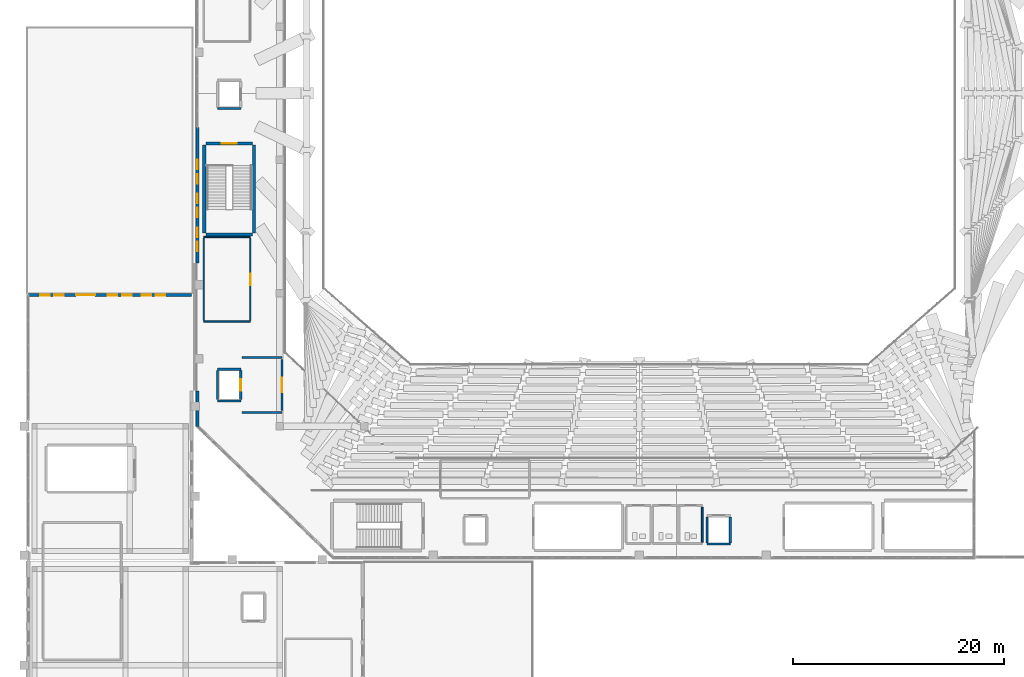
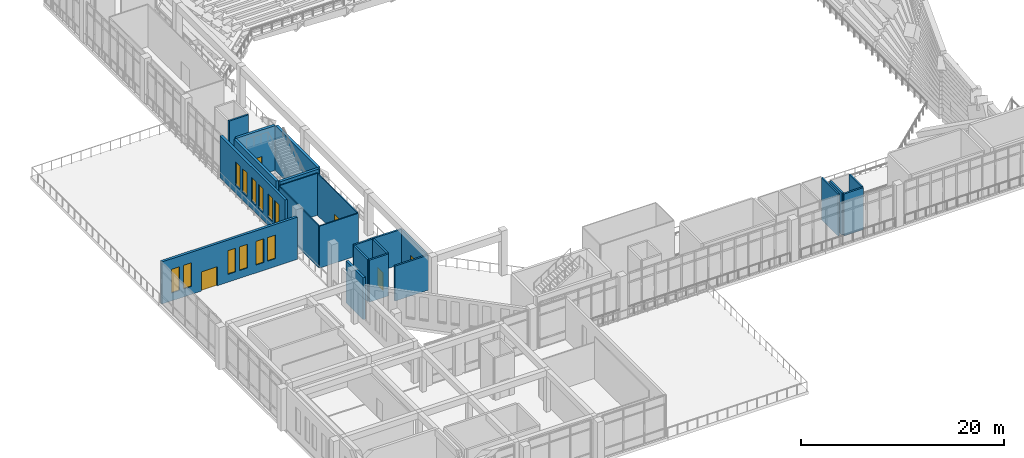
# One storey, part 45 of 55: 23 walls, 12 windows, 5 doors, 17 openings.
"""IFC4 building model written with IfcOpenShell, lengths in metres."""

from ifc_helpers import new_model, si_unit, derived_unit, direction, frame, frame_2d, origin, place, context, subcontext, project, spatial, rectangle, extrude, material, layer, layer_set, type_object, element, fill, save


model = new_model("IFC4")

# Units and contexts
model_context = context("Model", 3, precision=1e-05, world=origin(), true_north=direction((0.0, 1.0)))
body_context = subcontext(model_context, "Body", "Model", "MODEL_VIEW")
ifc_project = project(units=[si_unit("LENGTHUNIT", "METRE"), si_unit("AREAUNIT", "SQUARE_METRE"), si_unit("VOLUMEUNIT", "CUBIC_METRE"), si_unit("PLANEANGLEUNIT", "RADIAN"), si_unit("MASSUNIT", "GRAM", prefix="KILO"), derived_unit("THERMALTRANSMITTANCEUNIT", [(si_unit("MASSUNIT", "GRAM", prefix="KILO"), 1), (si_unit("TIMEUNIT", "SECOND"), -3), (si_unit("THERMODYNAMICTEMPERATUREUNIT", "KELVIN"), -1)])], contexts=[model_context])

# Site, building, storey
site_placement = place(None, origin())
site = spatial("IfcSite", under=ifc_project, at=site_placement, CompositionType="ELEMENT")
building_placement = place(site_placement, origin())
building = spatial("IfcBuilding", under=site, at=building_placement, Name="Valcora Ridge Arena", CompositionType="ELEMENT")
storey_placement = place(building_placement, frame((0.0, 0.0, 21.0)))
storey = spatial("IfcBuildingStorey", under=building, at=storey_placement, Name="L04", CompositionType="ELEMENT", Elevation=21.0)

# Wall
ifc_material_1 = material(Name="Bush-hammered Andean travertine on concrete backup C40/50", Category="masonry")
ifc_layer_1 = layer(ifc_material_1, 0.280029296875, Name="Bush-hammered Andean travertine on concrete backup C40/50")
ifc_layer_set_1 = layer_set([ifc_layer_1], Name="Bush-hammered Andean travertine on concrete backup C40/50")
wall_type_1 = type_object("IfcWallType", Name="TY-WALL-EW-TRV-28-51", PredefinedType="STANDARD", material=ifc_layer_set_1)
wall_1_placement = place(storey_placement, frame((16.199951171875, 32.60009765625, 0.0), z_axis=(0.0, 0.0, 1.0), x_axis=(0.0, 1.0, 0.0)))
element("IfcWall", 1, at=wall_1_placement, inside=storey, type_object=wall_type_1, Name="EW-TRV-28-51 WAL-EW-0059", PredefinedType="STANDARD", context=body_context, shape_type="SweptSolid", body=[
    extrude(rectangle(XDim=3.349853515625, YDim=0.280029296875, at=frame_2d((1.6748046875, 0.0))), origin(), (0.0, 0.0, 1.0), 5.06005859375),
])

# Wall, openings, windows
wall_2_placement = place(storey_placement, frame((16.199951171875, 48.050048828125, 0.0), z_axis=(0.0, 0.0, 1.0), x_axis=(0.0, 1.0, 0.0)))
wall_2 = element("IfcWall", 2, at=wall_2_placement, inside=storey, type_object=wall_type_1, Name="EW-TRV-28-51 WAL-EW-0060", PredefinedType="STANDARD", context=body_context, shape_type="SweptSolid", body=[
    extrude(rectangle(XDim=12.800048828125, YDim=0.280029296875, at=frame_2d((6.39990234375, 0.0))), origin(), (0.0, 0.0, 1.0), 5.06005859375),
])
opening_1_placement = place(wall_2_placement, frame((1.10009765625, 0.0, 0.949951171875)))
opening_1 = element("IfcOpeningElement", 3, at=opening_1_placement, cuts=wall_2, Name="Opening W-GLAN-90X285", PredefinedType="OPENING", context=body_context, shape_type="SweptSolid", body=[
    extrude(rectangle(XDim=0.89990234375, YDim=2.85009765625, at=frame_2d((0.449951171875, 1.425048828125))), frame((0.0, 0.14990234375, 0.0), z_axis=(0.0, -1.0, 0.0), x_axis=(1.0, 0.0, 0.0)), (0.0, 0.0, 1.0), 0.300048828125),
])
opening_2_placement = place(wall_2_placement, frame((2.449951171875, 0.0, 0.949951171875)))
opening_2 = element("IfcOpeningElement", 4, at=opening_2_placement, cuts=wall_2, Name="Opening W-GLAN-90X285", PredefinedType="OPENING", context=body_context, shape_type="SweptSolid", body=[
    extrude(rectangle(XDim=0.89990234375, YDim=2.85009765625, at=frame_2d((0.449951171875, 1.425048828125))), frame((0.0, 0.14990234375, 0.0), z_axis=(0.0, -1.0, 0.0), x_axis=(1.0, 0.0, 0.0)), (0.0, 0.0, 1.0), 0.300048828125),
])
opening_3_placement = place(wall_2_placement, frame((4.300048828125, 0.0, 0.949951171875)))
opening_3 = element("IfcOpeningElement", 5, at=opening_3_placement, cuts=wall_2, Name="Opening W-GLAN-90X285", PredefinedType="OPENING", context=body_context, shape_type="SweptSolid", body=[
    extrude(rectangle(XDim=0.89990234375, YDim=2.85009765625, at=frame_2d((0.449951171875, 1.425048828125))), frame((0.0, 0.14990234375, 0.0), z_axis=(0.0, -1.0, 0.0), x_axis=(1.0, 0.0, 0.0)), (0.0, 0.0, 1.0), 0.300048828125),
])
opening_4_placement = place(wall_2_placement, frame((5.64990234375, 0.0, 0.949951171875)))
opening_4 = element("IfcOpeningElement", 6, at=opening_4_placement, cuts=wall_2, Name="Opening W-GLAN-90X285", PredefinedType="OPENING", context=body_context, shape_type="SweptSolid", body=[
    extrude(rectangle(XDim=0.89990234375, YDim=2.85009765625, at=frame_2d((0.449951171875, 1.425048828125))), frame((0.0, 0.14990234375, 0.0), z_axis=(0.0, -1.0, 0.0), x_axis=(1.0, 0.0, 0.0)), (0.0, 0.0, 1.0), 0.300048828125),
])
opening_5_placement = place(wall_2_placement, frame((7.5, 0.0, 0.949951171875)))
opening_5 = element("IfcOpeningElement", 7, at=opening_5_placement, cuts=wall_2, Name="Opening W-GLAN-90X285", PredefinedType="OPENING", context=body_context, shape_type="SweptSolid", body=[
    extrude(rectangle(XDim=0.89990234375, YDim=2.85009765625, at=frame_2d((0.449951171875, 1.425048828125))), frame((0.0, 0.14990234375, 0.0), z_axis=(0.0, -1.0, 0.0), x_axis=(1.0, 0.0, 0.0)), (0.0, 0.0, 1.0), 0.300048828125),
])
opening_6_placement = place(wall_2_placement, frame((8.85009765625, 0.0, 0.949951171875)))
opening_6 = element("IfcOpeningElement", 8, at=opening_6_placement, cuts=wall_2, Name="Opening W-GLAN-90X285", PredefinedType="OPENING", context=body_context, shape_type="SweptSolid", body=[
    extrude(rectangle(XDim=0.89990234375, YDim=2.85009765625, at=frame_2d((0.449951171875, 1.425048828125))), frame((0.0, 0.14990234375, 0.0), z_axis=(0.0, -1.0, 0.0), x_axis=(1.0, 0.0, 0.0)), (0.0, 0.0, 1.0), 0.300048828125),
])
ifc_material_2 = material(Name="Low-iron solar-control double glazing SHGC 0.28", Category="glass")
window_type = type_object("IfcWindowType", Name="TY-WINDOW-W-GLAN-90X285", PartitioningType="DOUBLE_PANEL_VERTICAL", PredefinedType="WINDOW", material=ifc_material_2)
window_1_placement = place(opening_1_placement, origin())
window_1 = element("IfcWindow", 9, at=window_1_placement, inside=storey, type_object=window_type, Name="W-GLAN-90X285 WIN-EX-0135", OverallHeight=2.85009765625, OverallWidth=0.89990234375, PartitioningType="DOUBLE_PANEL_VERTICAL", PredefinedType="WINDOW", context=body_context, shape_type="SweptSolid", body=[
    extrude(rectangle(XDim=0.89990234375, YDim=2.85009765625, at=frame_2d((0.449951171875, 1.425048828125))), frame((0.0, 0.030029296875, 0.0), z_axis=(0.0, -1.0, 0.0), x_axis=(1.0, 0.0, 0.0)), (0.0, 0.0, 1.0), 0.06005859375),
])
fill(opening_1, window_1)
window_2_placement = place(opening_2_placement, origin())
window_2 = element("IfcWindow", 10, at=window_2_placement, inside=storey, type_object=window_type, Name="W-GLAN-90X285 WIN-EX-0136", OverallHeight=2.85009765625, OverallWidth=0.89990234375, PartitioningType="DOUBLE_PANEL_VERTICAL", PredefinedType="WINDOW", context=body_context, shape_type="SweptSolid", body=[
    extrude(rectangle(XDim=0.89990234375, YDim=2.85009765625, at=frame_2d((0.449951171875, 1.425048828125))), frame((0.0, 0.030029296875, 0.0), z_axis=(0.0, -1.0, 0.0), x_axis=(1.0, 0.0, 0.0)), (0.0, 0.0, 1.0), 0.06005859375),
])
fill(opening_2, window_2)
window_3_placement = place(opening_3_placement, origin())
window_3 = element("IfcWindow", 11, at=window_3_placement, inside=storey, type_object=window_type, Name="W-GLAN-90X285 WIN-EX-0137", OverallHeight=2.85009765625, OverallWidth=0.89990234375, PartitioningType="DOUBLE_PANEL_VERTICAL", PredefinedType="WINDOW", context=body_context, shape_type="SweptSolid", body=[
    extrude(rectangle(XDim=0.89990234375, YDim=2.85009765625, at=frame_2d((0.449951171875, 1.425048828125))), frame((0.0, 0.030029296875, 0.0), z_axis=(0.0, -1.0, 0.0), x_axis=(1.0, 0.0, 0.0)), (0.0, 0.0, 1.0), 0.06005859375),
])
fill(opening_3, window_3)
window_4_placement = place(opening_4_placement, origin())
window_4 = element("IfcWindow", 12, at=window_4_placement, inside=storey, type_object=window_type, Name="W-GLAN-90X285 WIN-EX-0138", OverallHeight=2.85009765625, OverallWidth=0.89990234375, PartitioningType="DOUBLE_PANEL_VERTICAL", PredefinedType="WINDOW", context=body_context, shape_type="SweptSolid", body=[
    extrude(rectangle(XDim=0.89990234375, YDim=2.85009765625, at=frame_2d((0.449951171875, 1.425048828125))), frame((0.0, 0.030029296875, 0.0), z_axis=(0.0, -1.0, 0.0), x_axis=(1.0, 0.0, 0.0)), (0.0, 0.0, 1.0), 0.06005859375),
])
fill(opening_4, window_4)
window_5_placement = place(opening_5_placement, origin())
window_5 = element("IfcWindow", 13, at=window_5_placement, inside=storey, type_object=window_type, Name="W-GLAN-90X285 WIN-EX-0139", OverallHeight=2.85009765625, OverallWidth=0.89990234375, PartitioningType="DOUBLE_PANEL_VERTICAL", PredefinedType="WINDOW", context=body_context, shape_type="SweptSolid", body=[
    extrude(rectangle(XDim=0.89990234375, YDim=2.85009765625, at=frame_2d((0.449951171875, 1.425048828125))), frame((0.0, 0.030029296875, 0.0), z_axis=(0.0, -1.0, 0.0), x_axis=(1.0, 0.0, 0.0)), (0.0, 0.0, 1.0), 0.06005859375),
])
fill(opening_5, window_5)
window_6_placement = place(opening_6_placement, origin())
window_6 = element("IfcWindow", 14, at=window_6_placement, inside=storey, type_object=window_type, Name="W-GLAN-90X285 WIN-EX-0140", OverallHeight=2.85009765625, OverallWidth=0.89990234375, PartitioningType="DOUBLE_PANEL_VERTICAL", PredefinedType="WINDOW", context=body_context, shape_type="SweptSolid", body=[
    extrude(rectangle(XDim=0.89990234375, YDim=2.85009765625, at=frame_2d((0.449951171875, 1.425048828125))), frame((0.0, 0.030029296875, 0.0), z_axis=(0.0, -1.0, 0.0), x_axis=(1.0, 0.0, 0.0)), (0.0, 0.0, 1.0), 0.06005859375),
])
fill(opening_6, window_6)

# Wall, openings, door, windows
wall_3_placement = place(storey_placement, frame((0.219970703125, 45.0, 0.0), z_axis=(0.0, 0.0, 1.0), x_axis=(1.0, 0.0, 0.0)))
wall_3 = element("IfcWall", 15, at=wall_3_placement, inside=storey, type_object=wall_type_1, Name="EW-TRV-28-51 WAL-EW-0101", PredefinedType="STANDARD", context=body_context, shape_type="SweptSolid", body=[
    extrude(rectangle(XDim=15.429931640625, YDim=0.280029296875, at=frame_2d((7.71484375, 0.0))), origin(), (0.0, 0.0, 1.0), 5.080078125),
])
opening_7_placement = place(wall_3_placement, frame((4.5, 0.0, 0.0)))
opening_7 = element("IfcOpeningElement", 16, at=opening_7_placement, cuts=wall_3, Name="Opening D-TERR-1800", PredefinedType="OPENING", context=body_context, shape_type="SweptSolid", body=[
    extrude(rectangle(XDim=1.800048828125, YDim=2.300048828125, at=frame_2d((0.89990234375, 1.14990234375))), frame((0.0, 0.14990234375, 0.0), z_axis=(0.0, -1.0, 0.0), x_axis=(1.0, 0.0, 0.0)), (0.0, 0.0, 1.0), 0.300048828125),
])
opening_8_placement = place(wall_3_placement, frame((1.10009765625, 0.0, 0.949951171875)))
opening_8 = element("IfcOpeningElement", 17, at=opening_8_placement, cuts=wall_3, Name="Opening W-GLAN-90X285", PredefinedType="OPENING", context=body_context, shape_type="SweptSolid", body=[
    extrude(rectangle(XDim=0.89990234375, YDim=2.85009765625, at=frame_2d((0.449951171875, 1.425048828125))), frame((0.0, 0.14990234375, 0.0), z_axis=(0.0, -1.0, 0.0), x_axis=(1.0, 0.0, 0.0)), (0.0, 0.0, 1.0), 0.300048828125),
])
opening_9_placement = place(wall_3_placement, frame((2.449951171875, 0.0, 0.949951171875)))
opening_9 = element("IfcOpeningElement", 18, at=opening_9_placement, cuts=wall_3, Name="Opening W-GLAN-90X285", PredefinedType="OPENING", context=body_context, shape_type="SweptSolid", body=[
    extrude(rectangle(XDim=0.89990234375, YDim=2.85009765625, at=frame_2d((0.449951171875, 1.425048828125))), frame((0.0, 0.14990234375, 0.0), z_axis=(0.0, -1.0, 0.0), x_axis=(1.0, 0.0, 0.0)), (0.0, 0.0, 1.0), 0.300048828125),
])
opening_10_placement = place(wall_3_placement, frame((7.5, 0.0, 0.949951171875)))
opening_10 = element("IfcOpeningElement", 19, at=opening_10_placement, cuts=wall_3, Name="Opening W-GLAN-90X285", PredefinedType="OPENING", context=body_context, shape_type="SweptSolid", body=[
    extrude(rectangle(XDim=0.89990234375, YDim=2.85009765625, at=frame_2d((0.449951171875, 1.425048828125))), frame((0.0, 0.14990234375, 0.0), z_axis=(0.0, -1.0, 0.0), x_axis=(1.0, 0.0, 0.0)), (0.0, 0.0, 1.0), 0.300048828125),
])
opening_11_placement = place(wall_3_placement, frame((8.85009765625, 0.0, 0.949951171875)))
opening_11 = element("IfcOpeningElement", 20, at=opening_11_placement, cuts=wall_3, Name="Opening W-GLAN-90X285", PredefinedType="OPENING", context=body_context, shape_type="SweptSolid", body=[
    extrude(rectangle(XDim=0.89990234375, YDim=2.85009765625, at=frame_2d((0.449951171875, 1.425048828125))), frame((0.0, 0.14990234375, 0.0), z_axis=(0.0, -1.0, 0.0), x_axis=(1.0, 0.0, 0.0)), (0.0, 0.0, 1.0), 0.300048828125),
])
opening_12_placement = place(wall_3_placement, frame((10.699951171875, 0.0, 0.949951171875)))
opening_12 = element("IfcOpeningElement", 21, at=opening_12_placement, cuts=wall_3, Name="Opening W-GLAN-90X285", PredefinedType="OPENING", context=body_context, shape_type="SweptSolid", body=[
    extrude(rectangle(XDim=0.89990234375, YDim=2.85009765625, at=frame_2d((0.449951171875, 1.425048828125))), frame((0.0, 0.14990234375, 0.0), z_axis=(0.0, -1.0, 0.0), x_axis=(1.0, 0.0, 0.0)), (0.0, 0.0, 1.0), 0.300048828125),
])
opening_13_placement = place(wall_3_placement, frame((12.050048828125, 0.0, 0.949951171875)))
opening_13 = element("IfcOpeningElement", 22, at=opening_13_placement, cuts=wall_3, Name="Opening W-GLAN-90X285", PredefinedType="OPENING", context=body_context, shape_type="SweptSolid", body=[
    extrude(rectangle(XDim=0.89990234375, YDim=2.85009765625, at=frame_2d((0.449951171875, 1.425048828125))), frame((0.0, 0.14990234375, 0.0), z_axis=(0.0, -1.0, 0.0), x_axis=(1.0, 0.0, 0.0)), (0.0, 0.0, 1.0), 0.300048828125),
])
ifc_material_3 = material(Name="Thermally broken bronze aluminium glazed entrance leaf", Category="aluminium")
door_type_1 = type_object("IfcDoorType", Name="TY-DOOR-D-TERR-1800", OperationType="NOTDEFINED", PredefinedType="DOOR", material=ifc_material_3)
door_1_placement = place(opening_7_placement, origin())
door_1 = element("IfcDoor", 23, at=door_1_placement, inside=storey, type_object=door_type_1, Name="D-TERR-1800 DOR-EX-0023", OperationType="DOUBLE_DOOR_SINGLE_SWING", OverallHeight=2.300048828125, OverallWidth=1.800048828125, PredefinedType="DOOR", context=body_context, shape_type="SweptSolid", body=[
    extrude(rectangle(XDim=1.800048828125, YDim=2.300048828125, at=frame_2d((0.89990234375, 1.14990234375))), frame((0.0, 0.02490234375, 0.0), z_axis=(0.0, -1.0, 0.0), x_axis=(1.0, 0.0, 0.0)), (0.0, 0.0, 1.0), 0.050048828125),
])
fill(opening_7, door_1)
window_7_placement = place(opening_8_placement, origin())
window_7 = element("IfcWindow", 24, at=window_7_placement, inside=storey, type_object=window_type, Name="W-GLAN-90X285 WIN-EX-0331", OverallHeight=2.85009765625, OverallWidth=0.89990234375, PartitioningType="DOUBLE_PANEL_VERTICAL", PredefinedType="WINDOW", context=body_context, shape_type="SweptSolid", body=[
    extrude(rectangle(XDim=0.89990234375, YDim=2.85009765625, at=frame_2d((0.449951171875, 1.425048828125))), frame((0.0, 0.030029296875, 0.0), z_axis=(0.0, -1.0, 0.0), x_axis=(1.0, 0.0, 0.0)), (0.0, 0.0, 1.0), 0.06005859375),
])
fill(opening_8, window_7)
window_8_placement = place(opening_9_placement, origin())
window_8 = element("IfcWindow", 25, at=window_8_placement, inside=storey, type_object=window_type, Name="W-GLAN-90X285 WIN-EX-0332", OverallHeight=2.85009765625, OverallWidth=0.89990234375, PartitioningType="DOUBLE_PANEL_VERTICAL", PredefinedType="WINDOW", context=body_context, shape_type="SweptSolid", body=[
    extrude(rectangle(XDim=0.89990234375, YDim=2.85009765625, at=frame_2d((0.449951171875, 1.425048828125))), frame((0.0, 0.030029296875, 0.0), z_axis=(0.0, -1.0, 0.0), x_axis=(1.0, 0.0, 0.0)), (0.0, 0.0, 1.0), 0.06005859375),
])
fill(opening_9, window_8)
window_9_placement = place(opening_10_placement, origin())
window_9 = element("IfcWindow", 26, at=window_9_placement, inside=storey, type_object=window_type, Name="W-GLAN-90X285 WIN-EX-0333", OverallHeight=2.85009765625, OverallWidth=0.89990234375, PartitioningType="DOUBLE_PANEL_VERTICAL", PredefinedType="WINDOW", context=body_context, shape_type="SweptSolid", body=[
    extrude(rectangle(XDim=0.89990234375, YDim=2.85009765625, at=frame_2d((0.449951171875, 1.425048828125))), frame((0.0, 0.030029296875, 0.0), z_axis=(0.0, -1.0, 0.0), x_axis=(1.0, 0.0, 0.0)), (0.0, 0.0, 1.0), 0.06005859375),
])
fill(opening_10, window_9)
window_10_placement = place(opening_11_placement, origin())
window_10 = element("IfcWindow", 27, at=window_10_placement, inside=storey, type_object=window_type, Name="W-GLAN-90X285 WIN-EX-0334", OverallHeight=2.85009765625, OverallWidth=0.89990234375, PartitioningType="DOUBLE_PANEL_VERTICAL", PredefinedType="WINDOW", context=body_context, shape_type="SweptSolid", body=[
    extrude(rectangle(XDim=0.89990234375, YDim=2.85009765625, at=frame_2d((0.449951171875, 1.425048828125))), frame((0.0, 0.030029296875, 0.0), z_axis=(0.0, -1.0, 0.0), x_axis=(1.0, 0.0, 0.0)), (0.0, 0.0, 1.0), 0.06005859375),
])
fill(opening_11, window_10)
window_11_placement = place(opening_12_placement, origin())
window_11 = element("IfcWindow", 28, at=window_11_placement, inside=storey, type_object=window_type, Name="W-GLAN-90X285 WIN-EX-0335", OverallHeight=2.85009765625, OverallWidth=0.89990234375, PartitioningType="DOUBLE_PANEL_VERTICAL", PredefinedType="WINDOW", context=body_context, shape_type="SweptSolid", body=[
    extrude(rectangle(XDim=0.89990234375, YDim=2.85009765625, at=frame_2d((0.449951171875, 1.425048828125))), frame((0.0, 0.030029296875, 0.0), z_axis=(0.0, -1.0, 0.0), x_axis=(1.0, 0.0, 0.0)), (0.0, 0.0, 1.0), 0.06005859375),
])
fill(opening_12, window_11)
window_12_placement = place(opening_13_placement, origin())
window_12 = element("IfcWindow", 29, at=window_12_placement, inside=storey, type_object=window_type, Name="W-GLAN-90X285 WIN-EX-0336", OverallHeight=2.85009765625, OverallWidth=0.89990234375, PartitioningType="DOUBLE_PANEL_VERTICAL", PredefinedType="WINDOW", context=body_context, shape_type="SweptSolid", body=[
    extrude(rectangle(XDim=0.89990234375, YDim=2.85009765625, at=frame_2d((0.449951171875, 1.425048828125))), frame((0.0, 0.030029296875, 0.0), z_axis=(0.0, -1.0, 0.0), x_axis=(1.0, 0.0, 0.0)), (0.0, 0.0, 1.0), 0.06005859375),
])
fill(opening_13, window_12)

# Walls
ifc_material_4 = material(Name="Fire-rated masonry-core compartment wall C35/45 150 mm", Category="masonry")
ifc_layer_2 = layer(ifc_material_4, 0.14990234375, Name="Fire-rated masonry-core compartment wall C35/45 150 mm")
ifc_layer_set_2 = layer_set([ifc_layer_2], Name="Fire-rated masonry-core compartment wall C35/45 150 mm")
wall_type_2 = type_object("IfcWallType", Name="TY-WALL-IW-COMP-150", PredefinedType="STANDARD", material=ifc_layer_set_2)
wall_4_placement = place(storey_placement, frame((63.949951171875, 21.64990234375, 0.0), z_axis=(0.0, 0.0, 1.0), x_axis=(0.0, 1.0, 0.0)))
element("IfcWall", 30, at=wall_4_placement, inside=storey, type_object=wall_type_2, Name="IW-COMP-150 WAL-IN-0166", PredefinedType="STANDARD", context=body_context, shape_type="SweptSolid", body=[
    extrude(rectangle(XDim=3.300048828125, YDim=0.14990234375, at=frame_2d((1.64990234375, 0.0))), origin(), (0.0, 0.0, 1.0), 5.06005859375),
])
ifc_material_5 = material(Name="Fire-resisting reinforced concrete enclosure C40/50 200 mm", Category="concrete")
ifc_layer_3 = layer(ifc_material_5, 0.199951171875, Name="Fire-resisting reinforced concrete enclosure C40/50 200 mm")
ifc_layer_set_3 = layer_set([ifc_layer_3], Name="Fire-resisting reinforced concrete enclosure C40/50 200 mm")
wall_type_3 = type_object("IfcWallType", Name="TY-WALL-IW-FIRE-200", PredefinedType="STANDARD", material=ifc_layer_set_3)
for number, where, z_axis, x_axis, name in (
    (31, (20.39990234375, 33.89990234375, 0.0), (0.0, 0.0, 1.0), (1.0, 0.0, 0.0), "IW-FIRE-200 WAL-IN-0016"),
    (32, (20.39990234375, 39.10009765625, 0.0), (0.0, 0.0, 1.0), (1.0, 0.0, 0.0), "IW-FIRE-200 WAL-IN-0017"),
):
    element("IfcWall", number, at=place(storey_placement, frame(where, z_axis=z_axis, x_axis=x_axis)), inside=storey, type_object=wall_type_3, Name=name, PredefinedType="STANDARD", context=body_context, shape_type="SweptSolid", body=[
        extrude(rectangle(XDim=3.800048828125, YDim=0.199951171875, at=frame_2d((1.89990234375, 0.0))), origin(), (0.0, 0.0, 1.0), 4.2099609375),
    ])

# Wall, opening, door
wall_5_placement = place(storey_placement, frame((24.199951171875, 34.10009765625, 0.0), z_axis=(0.0, 0.0, 1.0), x_axis=(0.0, 1.0, 0.0)))
wall_5 = element("IfcWall", 33, at=wall_5_placement, inside=storey, type_object=wall_type_3, Name="IW-FIRE-200 WAL-IN-0018", PredefinedType="STANDARD", context=body_context, shape_type="SweptSolid", body=[
    extrude(rectangle(XDim=4.7998046875, YDim=0.199951171875, at=frame_2d((2.39990234375, 0.0))), origin(), (0.0, 0.0, 1.0), 4.2099609375),
])
opening_14_placement = place(wall_5_placement, frame((1.699951171875, 0.0, 0.0)))
opening_14 = element("IfcOpeningElement", 34, at=opening_14_placement, cuts=wall_5, Name="Opening FD-FFL-1400", PredefinedType="OPENING", context=body_context, shape_type="SweptSolid", body=[
    extrude(rectangle(XDim=1.39990234375, YDim=2.199951171875, at=frame_2d((0.699951171875, 1.10009765625))), frame((0.0, 0.10986328125, 0.0), z_axis=(0.0, -1.0, 0.0), x_axis=(1.0, 0.0, 0.0)), (0.0, 0.0, 1.0), 0.219970703125),
])
ifc_material_6 = material(Name="Insulated fire-rated steel door leaf", Category="steel")
door_type_2 = type_object("IfcDoorType", Name="TY-DOOR-FD-FFL-1400", OperationType="NOTDEFINED", PredefinedType="DOOR", material=ifc_material_6)
door_2_placement = place(opening_14_placement, origin())
door_2 = element("IfcDoor", 35, at=door_2_placement, inside=storey, type_object=door_type_2, Name="FD-FFL-1400 DOR-IN-0006", OperationType="DOUBLE_DOOR_SINGLE_SWING", OverallHeight=2.199951171875, OverallWidth=1.39990234375, PredefinedType="DOOR", context=body_context, shape_type="SweptSolid", body=[
    extrude(rectangle(XDim=1.39990234375, YDim=2.199951171875, at=frame_2d((0.699951171875, 1.10009765625))), frame((0.0, 0.02490234375, 0.0), z_axis=(0.0, -1.0, 0.0), x_axis=(1.0, 0.0, 0.0)), (0.0, 0.0, 1.0), 0.050048828125),
])
fill(opening_14, door_2)

# Walls
ifc_material_7 = material(Name="Acoustic metal-stud gypsum partition 120 mm")
ifc_layer_4 = layer(ifc_material_7, 0.1201171875, Name="Acoustic metal-stud gypsum partition 120 mm")
ifc_layer_set_4 = layer_set([ifc_layer_4], Name="Acoustic metal-stud gypsum partition 120 mm")
wall_type_4 = type_object("IfcWallType", Name="TY-WALL-IW-PART-120", PredefinedType="PARTITIONING", material=ifc_layer_set_4)
for number, where, z_axis, x_axis, name in (
    (36, (16.800048828125, 42.5, 0.0), (0.0, 0.0, 1.0), (1.0, 0.0, 0.0), "IW-PART-120 WAL-IN-0467"),
    (37, (16.800048828125, 50.5, 0.0), (0.0, 0.0, 1.0), (1.0, 0.0, 0.0), "IW-PART-120 WAL-IN-0468"),
):
    element("IfcWall", number, at=place(storey_placement, frame(where, z_axis=z_axis, x_axis=x_axis)), inside=storey, type_object=wall_type_4, Name=name, PredefinedType="PARTITIONING", context=body_context, shape_type="SweptSolid", body=[
        extrude(rectangle(XDim=4.39990234375, YDim=0.1201171875, at=frame_2d((2.199951171875, 0.0))), origin(), (0.0, 0.0, 1.0), 5.06005859375),
    ])
wall_6_placement = place(storey_placement, frame((16.800048828125, 42.6201171875, 0.0), z_axis=(0.0, 0.0, 1.0), x_axis=(0.0, 1.0, 0.0)))
element("IfcWall", 38, at=wall_6_placement, inside=storey, type_object=wall_type_4, Name="IW-PART-120 WAL-IN-0469", PredefinedType="PARTITIONING", context=body_context, shape_type="SweptSolid", body=[
    extrude(rectangle(XDim=7.759765625, YDim=0.1201171875, at=frame_2d((3.8798828125, 0.0))), origin(), (0.0, 0.0, 1.0), 5.06005859375),
])

# Wall, opening, door
wall_7_placement = place(storey_placement, frame((21.199951171875, 42.6201171875, 0.0), z_axis=(0.0, 0.0, 1.0), x_axis=(0.0, 1.0, 0.0)))
wall_7 = element("IfcWall", 39, at=wall_7_placement, inside=storey, type_object=wall_type_4, Name="IW-PART-120 WAL-IN-0470", PredefinedType="PARTITIONING", context=body_context, shape_type="SweptSolid", body=[
    extrude(rectangle(XDim=7.759765625, YDim=0.1201171875, at=frame_2d((3.8798828125, 0.0))), origin(), (0.0, 0.0, 1.0), 5.06005859375),
])
opening_15_placement = place(wall_7_placement, frame((3.330078125, 0.0, 0.0)))
opening_15 = element("IfcOpeningElement", 40, at=opening_15_placement, cuts=wall_7, Name="Opening D-INT-1100", PredefinedType="OPENING", context=body_context, shape_type="SweptSolid", body=[
    extrude(rectangle(XDim=1.10009765625, YDim=2.199951171875, at=frame_2d((0.550048828125, 1.10009765625))), frame((0.0, 0.070068359375, 0.0), z_axis=(0.0, -1.0, 0.0), x_axis=(1.0, 0.0, 0.0)), (0.0, 0.0, 1.0), 0.14013671875),
])
ifc_material_8 = material(Name="Solid-core acoustic timber veneer door leaf", Category="wood")
door_type_3 = type_object("IfcDoorType", Name="TY-DOOR-D-INT-1100", OperationType="NOTDEFINED", PredefinedType="DOOR", material=ifc_material_8)
door_3_placement = place(opening_15_placement, origin())
door_3 = element("IfcDoor", 41, at=door_3_placement, inside=storey, type_object=door_type_3, Name="D-INT-1100 DOR-IN-0122", OperationType="SINGLE_SWING_LEFT", OverallHeight=2.199951171875, OverallWidth=1.10009765625, PredefinedType="DOOR", context=body_context, shape_type="SweptSolid", body=[
    extrude(rectangle(XDim=1.10009765625, YDim=2.199951171875, at=frame_2d((0.550048828125, 1.10009765625))), frame((0.0, 0.02490234375, 0.0), z_axis=(0.0, -1.0, 0.0), x_axis=(1.0, 0.0, 0.0)), (0.0, 0.0, 1.0), 0.050048828125),
])
fill(opening_15, door_3)

# Walls
ifc_material_9 = material(Name="Concrete C40/50", Category="concrete")
ifc_layer_5 = layer(ifc_material_9, 0.199951171875, Name="Concrete C40/50")
ifc_layer_set_5 = layer_set([ifc_layer_5], Name="Concrete C40/50")
wall_type_5 = type_object("IfcWallType", Name="TY-WALL-IW-SHF-200", PredefinedType="STANDARD", material=ifc_layer_set_5)
for number, where, z_axis, x_axis, name in (
    (42, (18.10009765625, 35.0, 0.0), (0.0, 0.0, 1.0), (1.0, 0.0, 0.0), "IW-SHF-200 WAL-SH-0021"),
    (43, (18.10009765625, 38.0, 0.0), (0.0, 0.0, 1.0), (1.0, 0.0, 0.0), "IW-SHF-200 WAL-SH-0022"),
):
    element("IfcWall", number, at=place(storey_placement, frame(where, z_axis=z_axis, x_axis=x_axis)), inside=storey, type_object=wall_type_5, Name=name, PredefinedType="STANDARD", context=body_context, shape_type="SweptSolid", body=[
        extrude(rectangle(XDim=2.199951171875, YDim=0.199951171875, at=frame_2d((1.10009765625, 0.0))), origin(), (0.0, 0.0, 1.0), 5.06005859375),
    ])
wall_8_placement = place(storey_placement, frame((18.10009765625, 35.1201171875, 0.0), z_axis=(0.0, 0.0, 1.0), x_axis=(0.0, 1.0, 0.0)))
element("IfcWall", 44, at=wall_8_placement, inside=storey, type_object=wall_type_5, Name="IW-SHF-200 WAL-SH-0023", PredefinedType="STANDARD", context=body_context, shape_type="SweptSolid", body=[
    extrude(rectangle(XDim=2.759765625, YDim=0.199951171875, at=frame_2d((1.3798828125, 0.0))), origin(), (0.0, 0.0, 1.0), 5.06005859375),
])

# Wall, opening, door
wall_9_placement = place(storey_placement, frame((20.300048828125, 35.1201171875, 0.0), z_axis=(0.0, 0.0, 1.0), x_axis=(0.0, 1.0, 0.0)))
wall_9 = element("IfcWall", 45, at=wall_9_placement, inside=storey, type_object=wall_type_5, Name="IW-SHF-200 WAL-SH-0024", PredefinedType="STANDARD", context=body_context, shape_type="SweptSolid", body=[
    extrude(rectangle(XDim=2.759765625, YDim=0.199951171875, at=frame_2d((1.3798828125, 0.0))), origin(), (0.0, 0.0, 1.0), 5.06005859375),
])
opening_16_placement = place(wall_9_placement, frame((0.830078125, 0.0, 0.0)))
opening_16 = element("IfcOpeningElement", 46, at=opening_16_placement, cuts=wall_9, Name="Opening LD-FF", PredefinedType="OPENING", context=body_context, shape_type="SweptSolid", body=[
    extrude(rectangle(XDim=1.10009765625, YDim=2.14990234375, at=frame_2d((0.550048828125, 1.074951171875))), frame((0.0, 0.10986328125, 0.0), z_axis=(0.0, -1.0, 0.0), x_axis=(1.0, 0.0, 0.0)), (0.0, 0.0, 1.0), 0.219970703125),
])
ifc_material_10 = material(Name="Insulated fire-rated hollow metal steel", Category="steel")
door_type_4 = type_object("IfcDoorType", Name="TY-DOOR-LD-FF", OperationType="NOTDEFINED", PredefinedType="DOOR", material=ifc_material_10)
door_4_placement = place(opening_16_placement, origin())
door_4 = element("IfcDoor", 47, at=door_4_placement, inside=storey, type_object=door_type_4, Name="FFL1 Landing Door L04", OperationType="SLIDING_TO_LEFT", OverallHeight=2.14990234375, OverallWidth=1.10009765625, PredefinedType="DOOR", context=body_context, shape_type="SweptSolid", body=[
    extrude(rectangle(XDim=1.10009765625, YDim=2.14990234375, at=frame_2d((0.550048828125, 1.074951171875))), frame((0.0, 0.02490234375, 0.0), z_axis=(0.0, -1.0, 0.0), x_axis=(1.0, 0.0, 0.0)), (0.0, 0.0, 1.0), 0.050048828125),
])
fill(opening_16, door_4)

# Walls
wall_10_placement = place(storey_placement, frame((64.39990234375, 21.449951171875, 0.0), z_axis=(0.0, 0.0, 1.0), x_axis=(1.0, 0.0, 0.0)))
element("IfcWall", 48, at=wall_10_placement, inside=storey, type_object=wall_type_5, Name="IW-SHF-200 WAL-SH-0101", PredefinedType="STANDARD", context=body_context, shape_type="SweptSolid", body=[
    extrude(rectangle(XDim=2.2001953125, YDim=0.199951171875, at=frame_2d((1.10009765625, 0.0))), origin(), (0.0, 0.0, 1.0), 5.06005859375),
])
for number, where, z_axis, x_axis, name in (
    (49, (64.39990234375, 21.570068359375, 0.0), (0.0, 0.0, 1.0), (0.0, 1.0, 0.0), "IW-SHF-200 WAL-SH-0103"),
    (50, (66.60009765625, 21.570068359375, 0.0), (0.0, 0.0, 1.0), (0.0, 1.0, 0.0), "IW-SHF-200 WAL-SH-0104"),
):
    element("IfcWall", number, at=place(storey_placement, frame(where, z_axis=z_axis, x_axis=x_axis)), inside=storey, type_object=wall_type_5, Name=name, PredefinedType="STANDARD", context=body_context, shape_type="SweptSolid", body=[
        extrude(rectangle(XDim=2.4599609375, YDim=0.199951171875, at=frame_2d((1.22998046875, 0.0))), origin(), (0.0, 0.0, 1.0), 5.06005859375),
    ])
wall_11_placement = place(storey_placement, frame((18.10009765625, 62.64990234375, 0.0), z_axis=(0.0, 0.0, 1.0), x_axis=(1.0, 0.0, 0.0)))
element("IfcWall", 51, at=wall_11_placement, inside=storey, type_object=wall_type_5, Name="IW-SHF-200 WAL-SH-0225", PredefinedType="STANDARD", context=body_context, shape_type="SweptSolid", body=[
    extrude(rectangle(XDim=2.199951171875, YDim=0.199951171875, at=frame_2d((1.10009765625, 0.0))), origin(), (0.0, 0.0, 1.0), 5.06005859375),
])
ifc_material_11 = material(Name="Concrete C45/55", Category="concrete")
ifc_layer_6 = layer(ifc_material_11, 0.300048828125, Name="Concrete C45/55")
ifc_layer_set_6 = layer_set([ifc_layer_6], Name="Concrete C45/55")
wall_type_6 = type_object("IfcWallType", Name="TY-WALL-SW-C300-L", PredefinedType="SHEAR", material=ifc_layer_set_6)
for number, where, z_axis, x_axis, name in (
    (52, (16.85009765625, 50.8798828125, 0.0), (0.0, 0.0, 1.0), (0.0, 1.0, 0.0), "SW-C300-L WAL-CR-0127"),
    (53, (21.550048828125, 50.8798828125, 0.0), (0.0, 0.0, 1.0), (0.0, 1.0, 0.0), "SW-C300-L WAL-CR-0128"),
):
    element("IfcWall", number, at=place(storey_placement, frame(where, z_axis=z_axis, x_axis=x_axis)), inside=storey, type_object=wall_type_6, Name=name, PredefinedType="SHEAR", context=body_context, shape_type="SweptSolid", body=[
        extrude(rectangle(XDim=8.320068359375, YDim=0.300048828125, at=frame_2d((4.16015625, 0.0))), origin(), (0.0, 0.0, 1.0), 5.39990234375),
    ])
ifc_layer_7 = layer(ifc_material_11, 0.300048828125, Name="Concrete C45/55")
ifc_layer_set_7 = layer_set([ifc_layer_7], Name="Concrete C45/55")
wall_type_7 = type_object("IfcWallType", Name="TY-WALL-SW-C300-S", PredefinedType="SHEAR", material=ifc_layer_set_7)
wall_12_placement = place(storey_placement, frame((17.0, 50.72998046875, 0.0), z_axis=(0.0, 0.0, 1.0), x_axis=(1.0, 0.0, 0.0)))
element("IfcWall", 54, at=wall_12_placement, inside=storey, type_object=wall_type_7, Name="SW-C300-S WAL-CR-0125", PredefinedType="SHEAR", context=body_context, shape_type="SweptSolid", body=[
    extrude(rectangle(XDim=4.39990234375, YDim=0.300048828125, at=frame_2d((2.199951171875, 0.0))), origin(), (0.0, 0.0, 1.0), 5.39990234375),
])

# Wall, opening, door
wall_13_placement = place(storey_placement, frame((17.0, 59.35009765625, 0.0), z_axis=(0.0, 0.0, 1.0), x_axis=(1.0, 0.0, 0.0)))
wall_13 = element("IfcWall", 55, at=wall_13_placement, inside=storey, type_object=wall_type_7, Name="SW-C300-S WAL-CR-0126", PredefinedType="SHEAR", context=body_context, shape_type="SweptSolid", body=[
    extrude(rectangle(XDim=4.39990234375, YDim=0.300048828125, at=frame_2d((2.199951171875, 0.0))), origin(), (0.0, 0.0, 1.0), 5.39990234375),
])
opening_17_placement = place(wall_13_placement, frame((1.5, 0.0, 0.0)))
opening_17 = element("IfcOpeningElement", 56, at=opening_17_placement, cuts=wall_13, Name="Opening FD-01", PredefinedType="OPENING", context=body_context, shape_type="SweptSolid", body=[
    extrude(rectangle(XDim=1.39990234375, YDim=2.199951171875, at=frame_2d((0.699951171875, 1.10009765625))), frame((0.0, 0.159912109375, 0.0), z_axis=(0.0, -1.0, 0.0), x_axis=(1.0, 0.0, 0.0)), (0.0, 0.0, 1.0), 0.320068359375),
])
door_type_5 = type_object("IfcDoorType", Name="TY-DOOR-FD-01", OperationType="NOTDEFINED", PredefinedType="DOOR", material=ifc_material_6)
door_5_placement = place(opening_17_placement, origin())
door_5 = element("IfcDoor", 57, at=door_5_placement, inside=storey, type_object=door_type_5, Name="FD-01 DOR-ST-0032", OperationType="DOUBLE_DOOR_SINGLE_SWING", OverallHeight=2.199951171875, OverallWidth=1.39990234375, PredefinedType="DOOR", context=body_context, shape_type="SweptSolid", body=[
    extrude(rectangle(XDim=1.39990234375, YDim=2.199951171875, at=frame_2d((0.699951171875, 1.10009765625))), frame((0.0, 0.02490234375, 0.0), z_axis=(0.0, -1.0, 0.0), x_axis=(1.0, 0.0, 0.0)), (0.0, 0.0, 1.0), 0.050048828125),
])
fill(opening_17, door_5)

save(model, "model.ifc")
